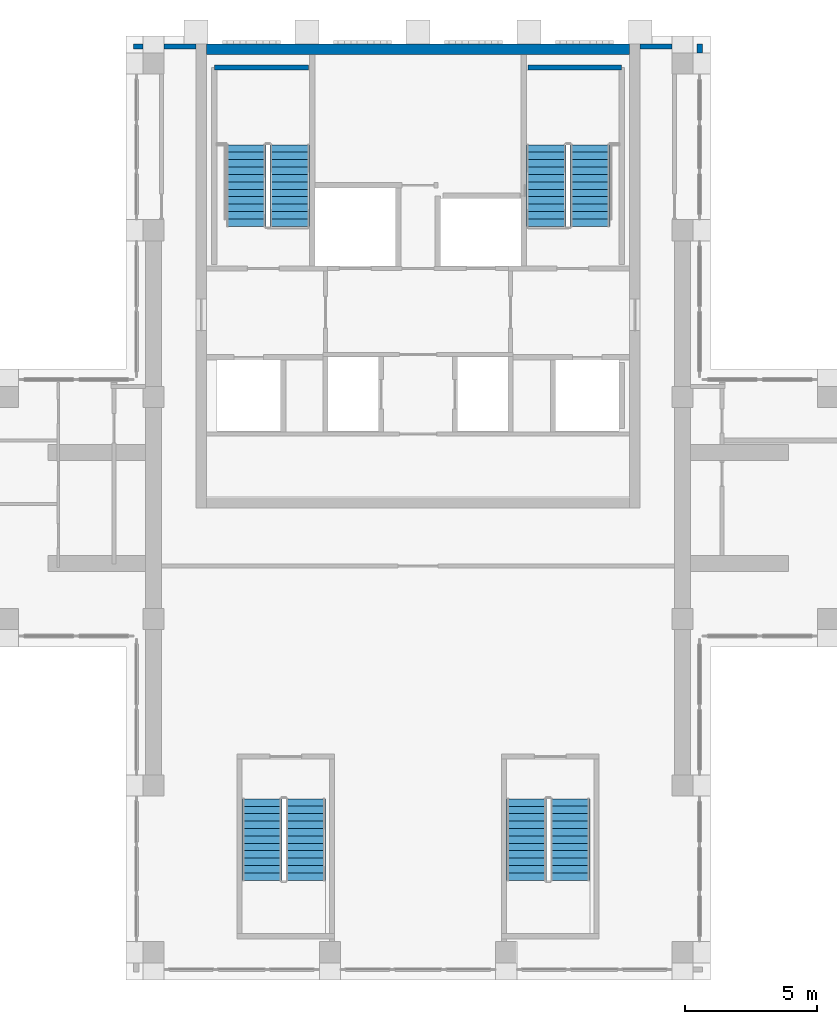
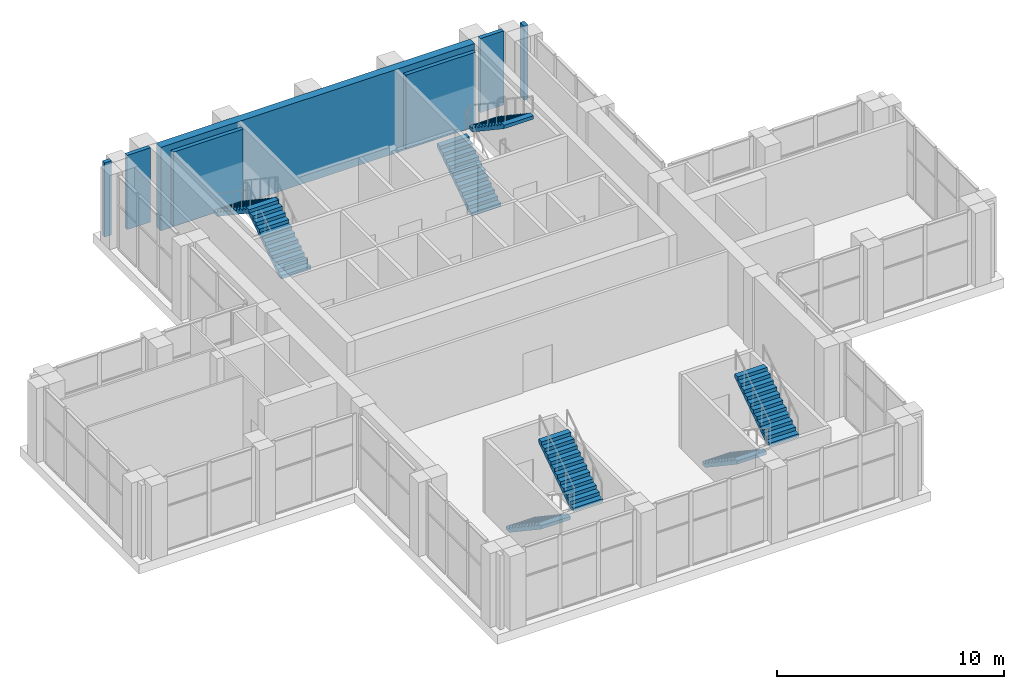
# One storey, part 12 of 15: 8 stair flights, 7 walls, 4 elements without a shape of their own.
"""IFC4 building model written with IfcOpenShell, lengths in metres."""

import ifcopenshell
import ifcopenshell.guid

model = None  # the IFC model being written
_history = None  # IfcOwnerHistory: only IFC2X3 demands one
_inside = {}  # id of a spatial element -> (the spatial element, [elements in it])
_under = {}  # id of a project, library or spatial element -> (it, [spatial elements below it])
_declared = {}  # id of a project -> (the project, [libraries it declares])
_typed = {}  # id of a type object -> (the type object, [elements of that type])
_made_of = {}  # id of a material, layer set ... -> (it, [elements and type objects made of it])


def new_model(schema):
    """Start an empty IFC model of exactly this schema.

    Asked for "IFC4X3", IfcOpenShell would pick the latest addendum, in which some entities
    have other attributes; the version numbers below select the first issue.
    IFC2X3 requires an IfcOwnerHistory on every rooted entity: one is made here for all.
    """
    global model, _history
    if schema == "IFC4X3":
        model = ifcopenshell.file(schema_version=(4, 3, 0, 0))
    else:
        model = ifcopenshell.file(schema=schema)
    _inside.clear()
    _under.clear()
    _declared.clear()
    _typed.clear()
    _made_of.clear()
    _history = None
    if model.schema == "IFC2X3":
        org = make("IfcOrganization", Name="unknown")
        user = make(
            "IfcPersonAndOrganization",
            ThePerson=make("IfcPerson", FamilyName="unknown"),
            TheOrganization=org,
        )
        app = make(
            "IfcApplication",
            ApplicationDeveloper=org,
            Version="unknown",
            ApplicationFullName="unknown",
            ApplicationIdentifier="unknown",
        )
        _history = make(
            "IfcOwnerHistory",
            OwningUser=user,
            OwningApplication=app,
            ChangeAction="ADDED",
            CreationDate=0,
        )
    return model


def make(cls, **values):
    """One entity of the class cls with the attributes given. An attribute that is None is left unset."""
    return model.create_entity(
        cls, **{name: value for name, value in values.items() if value is not None}
    )


def rooted(cls, **values):
    """An entity with a GlobalId (a new one), such as an element, a storey or a relation."""
    return make(cls, GlobalId=ifcopenshell.guid.new(), OwnerHistory=_history, **values)


def si_unit(unit_type, name, prefix=None):
    """IfcSIUnit, for example si_unit("LENGTHUNIT", "METRE", prefix="MILLI")."""
    return make("IfcSIUnit", UnitType=unit_type, Prefix=prefix, Name=name)


def assignment(units):
    """IfcUnitAssignment: the units of a project."""
    return None if units is None else make("IfcUnitAssignment", Units=units)


def point(xyz):
    """IfcCartesianPoint."""
    return None if xyz is None else make("IfcCartesianPoint", Coordinates=xyz)


def direction(xyz):
    """IfcDirection."""
    return None if xyz is None else make("IfcDirection", DirectionRatios=xyz)


def frame(location, z_axis=None, x_axis=None):
    """IfcAxis2Placement3D, a coordinate frame: its origin and axes. An axis left out is left unset."""
    return make(
        "IfcAxis2Placement3D",
        Location=point(location),
        Axis=direction(z_axis),
        RefDirection=direction(x_axis),
    )


def frame_2d(location, x_axis=None):
    """IfcAxis2Placement2D, a coordinate frame in the plane: its origin and x axis."""
    return make(
        "IfcAxis2Placement2D", Location=point(location), RefDirection=direction(x_axis)
    )


def origin():
    """The frame at (0, 0, 0) with its axes left unset."""
    return frame((0.0, 0.0, 0.0))


def place(relative_to, where):
    """IfcLocalPlacement: puts the frame where relative to a parent placement (None: the world)."""
    return make(
        "IfcLocalPlacement", PlacementRelTo=relative_to, RelativePlacement=where
    )


def context(
    kind, dimensions, precision=None, world=None, true_north=None, identifier=None
):
    """IfcGeometricRepresentationContext, for example the 3D "Model" context."""
    return make(
        "IfcGeometricRepresentationContext",
        ContextIdentifier=identifier,
        ContextType=kind,
        CoordinateSpaceDimension=dimensions,
        Precision=precision,
        WorldCoordinateSystem=world,
        TrueNorth=true_north,
    )


def subcontext(parent, identifier, kind, view, scale=None):
    """IfcGeometricRepresentationSubContext, for example "Body" below "Model"."""
    return make(
        "IfcGeometricRepresentationSubContext",
        ContextIdentifier=identifier,
        ContextType=kind,
        ParentContext=parent,
        TargetScale=scale,
        TargetView=view,
    )


def project(units=None, contexts=None):
    """IfcProject with its units and contexts."""
    return rooted(
        "IfcProject",
        Name="project",
        RepresentationContexts=contexts,
        UnitsInContext=assignment(units),
    )


def spatial(cls, under=None, at=None, **own):
    """A site, building, storey or space (cls), placed at a placement, below another one or the project."""
    s = rooted(cls, ObjectPlacement=at, **own)
    if under is not None:
        _under.setdefault(under.id(), (under, []))[1].append(s)
    return s


def polyline(points):
    """IfcPolyline through the points."""
    return make("IfcPolyline", Points=[point(p) for p in points])


def profile(cls, at=None, kind="AREA", **sizes):
    """A parametric profile (cls). Its sizes go by their IFC names, for example OverallWidth=200.0."""
    return make(cls, ProfileType=kind, Position=at, **sizes)


def rectangle(**sizes):
    """IfcRectangleProfileDef."""
    return profile("IfcRectangleProfileDef", **sizes)


def outline(outer, holes=None, kind="AREA"):
    """IfcArbitraryClosedProfileDef: a profile drawn as a closed curve; with holes, ...WithVoids."""
    if holes is None:
        return make("IfcArbitraryClosedProfileDef", ProfileType=kind, OuterCurve=outer)
    return make(
        "IfcArbitraryProfileDefWithVoids",
        ProfileType=kind,
        OuterCurve=outer,
        InnerCurves=holes,
    )


def extrude(swept, where, along, depth):
    """IfcExtrudedAreaSolid: the profile swept, set in the frame where, extruded along a direction by depth."""
    return make(
        "IfcExtrudedAreaSolid",
        SweptArea=swept,
        Position=where,
        ExtrudedDirection=direction(along),
        Depth=depth,
    )


def shape(context_of_items, identifier, shape_type, items):
    """IfcShapeRepresentation: the items that make up one representation, for example the "Body"."""
    return make(
        "IfcShapeRepresentation",
        ContextOfItems=context_of_items,
        RepresentationIdentifier=identifier,
        RepresentationType=shape_type,
        Items=items,
    )


def material(Name=None, Category=None):
    """IfcMaterial."""
    return make("IfcMaterial", Name=Name, Category=Category)


def layer(
    of_material, thickness, ventilated=None, Name=None, Category=None, Priority=None
):
    """IfcMaterialLayer: one layer of a wall or slab, of a material (None: an air gap)."""
    return make(
        "IfcMaterialLayer",
        Material=of_material,
        LayerThickness=thickness,
        IsVentilated=ventilated,
        Name=Name,
        Category=Category,
        Priority=Priority,
    )


def layer_set(layers, Name=None):
    """IfcMaterialLayerSet."""
    return make("IfcMaterialLayerSet", MaterialLayers=layers, LayerSetName=Name)


def made_of(thing, what):
    """Note that an element or type object is made of a material, layer set ...; save() writes the relation."""
    if what is not None:
        _made_of.setdefault(what.id(), (what, []))[1].append(thing)
    return thing


def type_object(cls, material=None, **own):
    """A type object (cls), such as IfcWallType, which elements share."""
    return made_of(rooted(cls, **own), material)


def element(
    cls,
    number,
    at=None,
    inside=None,
    cuts=None,
    type_object=None,
    material=None,
    context=None,
    identifier="Body",
    shape_type=None,
    held_by="IfcProductDefinitionShape",
    body=None,
    shapes=None,
    **own,
):
    """One element of the class cls, such as IfcWall. Its Tag is "e" and its number.

    at: its placement. inside: the storey or other place that contains it. cuts: it is an
    opening in that element (IfcRelVoidsElement). A single representation is given by context,
    identifier, shape_type and body (its items); several are given by shapes. held_by: the class
    of the entity that holds the representations. save() writes the other relations.
    """
    e = rooted(cls, Tag="e%d" % number, ObjectPlacement=at, **own)
    if body is not None:
        shapes = [shape(context, identifier, shape_type, body)]
    if shapes is not None:
        e.Representation = make(held_by, Representations=shapes)
    if inside is not None:
        _inside.setdefault(inside.id(), (inside, []))[1].append(e)
    if cuts is not None:
        rooted(
            "IfcRelVoidsElement", RelatingBuildingElement=cuts, RelatedOpeningElement=e
        )
    if type_object is not None:
        _typed.setdefault(type_object.id(), (type_object, []))[1].append(e)
    return made_of(e, material)


def aggregate(whole, parts):
    """IfcRelAggregates: a whole, such as a stair, and the parts it consists of."""
    return rooted("IfcRelAggregates", RelatingObject=whole, RelatedObjects=parts)


def save(model, path):
    """Write the relations noted so far, then the file.

    IfcRelAggregates (storeys below a building ...), IfcRelContainedInSpatialStructure (elements
    in a storey), IfcRelDefinesByType, IfcRelAssociatesMaterial and IfcRelDeclares: one each for
    every whole, place, type object, material and project.
    """
    for whole, parts in _under.values():
        aggregate(whole, parts)
    for where, things in _inside.values():
        rooted(
            "IfcRelContainedInSpatialStructure",
            RelatedElements=things,
            RelatingStructure=where,
        )
    for kind, things in _typed.values():
        rooted("IfcRelDefinesByType", RelatedObjects=things, RelatingType=kind)
    for what, things in _made_of.values():
        rooted("IfcRelAssociatesMaterial", RelatedObjects=things, RelatingMaterial=what)
    for by, libraries in _declared.values():
        rooted("IfcRelDeclares", RelatingContext=by, RelatedDefinitions=libraries)
    model.write(path)


model = new_model("IFC4")

# Units and contexts
model_context = context("Model", 3, precision=1e-05, world=origin(), true_north=direction((0.0, 1.0)))
body_context = subcontext(model_context, "Body", "Model", "MODEL_VIEW")
ifc_project = project(units=[si_unit("LENGTHUNIT", "METRE"), si_unit("AREAUNIT", "SQUARE_METRE"), si_unit("VOLUMEUNIT", "CUBIC_METRE"), si_unit("PLANEANGLEUNIT", "RADIAN"), si_unit("MASSUNIT", "GRAM", prefix="KILO")], contexts=[model_context])

# Site, building, storey
site_placement = place(None, origin())
site = spatial("IfcSite", under=ifc_project, at=site_placement, CompositionType="ELEMENT")
building_placement = place(site_placement, origin())
building = spatial("IfcBuilding", under=site, at=building_placement, Name="Vermilion Ogive Tower", CompositionType="ELEMENT")
storey_placement = place(building_placement, frame((0.0, 0.0, 293.85009765625)))
storey = spatial("IfcBuildingStorey", under=building, at=storey_placement, Name="L76", CompositionType="ELEMENT", Elevation=293.85009765625)

# Walls
ifc_material_1 = material(Name="Concrete B60", Category="concrete")
ifc_layer_1 = layer(ifc_material_1, 0.39990234375)
ifc_layer_set_1 = layer_set([ifc_layer_1], Name="Core wall 400 B60")
wall_type_1 = type_object("IfcWallType", Name="Core wall 400 B60", PredefinedType="SHEAR", material=ifc_layer_set_1)
wall_1_placement = place(storey_placement, frame((-8.0, 21.550048828125, -0.5), z_axis=(0.0, 0.0, 1.0), x_axis=(1.0, 0.0, 0.0)))
element("IfcWall", 1, at=wall_1_placement, inside=storey, type_object=wall_type_1, Name="L76-CORE-N", PredefinedType="SHEAR", context=body_context, shape_type="SweptSolid", body=[
    extrude(rectangle(XDim=16.0, YDim=0.39990234375, at=frame_2d((8.0, 0.0))), origin(), (0.0, 0.0, 1.0), 4.5),
])
ifc_material_2 = material(Name="Concrete B60", Category="concrete")
ifc_layer_2 = layer(ifc_material_2, 0.199951171875)
ifc_layer_set_2 = layer_set([ifc_layer_2], Name="Stair shaft wall 200 Concrete B60")
wall_type_2 = type_object("IfcWallType", Name="Stair shaft wall 200 Concrete B60", PredefinedType="SOLIDWALL", material=ifc_layer_set_2)
for number, where, z_axis, x_axis, name in (
    (2, (-7.699951171875, 20.85009765625, 0.0), (0.0, 0.0, 1.0), (1.0, 0.0, 0.0), "L76-SW-R005-N1"),
    (3, (4.14990234375, 20.85009765625, 0.0), (0.0, 0.0, 1.0), (1.0, 0.0, 0.0), "L76-SW-R009-N1"),
):
    element("IfcWall", number, at=place(storey_placement, frame(where, z_axis=z_axis, x_axis=x_axis)), inside=storey, type_object=wall_type_2, Name=name, PredefinedType="SOLIDWALL", context=body_context, shape_type="SweptSolid", body=[
        extrude(rectangle(XDim=3.550048828125, YDim=0.199951171875, at=frame_2d((1.77490234375, 0.0))), origin(), (0.0, 0.0, 1.0), 4.0),
    ])
ifc_material_3 = material(Name="Aluminium window wall framing", Category="aluminium")
ifc_layer_3 = layer(ifc_material_3, 0.199951171875)
ifc_layer_set_3 = layer_set([ifc_layer_3], Name="Window wall")
wall_type_3 = type_object("IfcWallType", Name="Window wall", PredefinedType="STANDARD", material=ifc_layer_set_3)
wall_2_placement = place(storey_placement, frame((10.64990234375, 21.39990234375, 0.0), z_axis=(0.0, 0.0, 1.0), x_axis=(0.0, 1.0, 0.0)))
element("IfcWall", 4, at=wall_2_placement, inside=storey, type_object=wall_type_3, Name="Window wall X43", PredefinedType="STANDARD", context=body_context, shape_type="SweptSolid", body=[
    extrude(rectangle(XDim=0.35009765625, YDim=0.199951171875, at=frame_2d((0.175048828125, 0.0))), origin(), (0.0, 0.0, 1.0), 4.0),
])
for number, where, z_axis, x_axis, name in (
    (5, (9.60009765625, 21.64990234375, 0.0), (0.0, 0.0, 1.0), (-1.0, 0.0, 0.0), "Window wall N11"),
    (6, (-8.39990234375, 21.64990234375, 0.0), (0.0, 0.0, 1.0), (-1.0, 0.0, 0.0), "Window wall N21"),
):
    element("IfcWall", number, at=place(storey_placement, frame(where, z_axis=z_axis, x_axis=x_axis)), inside=storey, type_object=wall_type_3, Name=name, PredefinedType="STANDARD", context=body_context, shape_type="SweptSolid", body=[
        extrude(rectangle(XDim=1.2001953125, YDim=0.199951171875, at=frame_2d((0.60009765625, 0.0))), origin(), (0.0, 0.0, 1.0), 4.0),
    ])
wall_3_placement = place(storey_placement, frame((-10.39990234375, 21.64990234375, 0.0), z_axis=(0.0, 0.0, 1.0), x_axis=(-1.0, 0.0, 0.0)))
element("IfcWall", 7, at=wall_3_placement, inside=storey, type_object=wall_type_3, Name="Window wall N22", PredefinedType="STANDARD", context=body_context, shape_type="SweptSolid", body=[
    extrude(rectangle(XDim=0.35009765625, YDim=0.199951171875, at=frame_2d((0.175048828125, 0.0))), origin(), (0.0, 0.0, 1.0), 4.0),
])

# Stair, stair flights
ifc_material_4 = material(Name="Concrete B40", Category="concrete")
stair_type = type_object("IfcStairType", Name="Exit stair 1500", PredefinedType="HALF_TURN_STAIR", material=ifc_material_4)
stair_1_placement = place(storey_placement, origin())
stair_1 = element("IfcStair", 8, at=stair_1_placement, inside=storey, type_object=stair_type, Name="L76 Exit Stair ST1", PredefinedType="HALF_TURN_STAIR")
ifc_material_5 = material(Name="Concrete B40", Category="concrete")
stair_flight_type = type_object("IfcStairFlightType", Name="Stair flight 1500", PredefinedType="STRAIGHT", material=ifc_material_5)
stair_flight_1_placement = place(storey_placement, frame((-4.85009765625, 14.85009765625, 0.0), z_axis=(0.0, 0.0, 1.0), x_axis=(0.0, 1.0, 0.0)))
stair_flight_1 = element("IfcStairFlight", 9, at=stair_flight_1_placement, type_object=stair_flight_type, Name="ST1 flight 1", NumberOfRisers=12, NumberOfTreads=11, PredefinedType="STRAIGHT", RiserHeight=0.1875, TreadLength=0.28, context=body_context, shape_type="SweptSolid", body=[
    extrude(outline(polyline([(0.0, 0.0), (0.0, 0.1875), (0.280029296875, 0.1875), (0.280029296875, 0.375), (0.56005859375, 0.375), (0.56005859375, 0.5625), (0.840087890625, 0.5625), (0.840087890625, 0.75), (1.1201171875, 0.75), (1.1201171875, 0.9375), (1.39990234375, 0.9375), (1.39990234375, 1.125), (1.679931640625, 1.125), (1.679931640625, 1.3125), (1.9599609375, 1.3125), (1.9599609375, 1.5), (2.239990234375, 1.5), (2.239990234375, 1.6875), (2.52001953125, 1.6875), (2.52001953125, 1.875), (2.800048828125, 1.875), (2.800048828125, 2.0625), (3.080078125, 2.0625), (3.080078125, 2.25), (3.080078125, 1.882080078125), (0.26953125, 0.0), (0.0, 0.0)])), frame((0.0, 0.75, 0.0), z_axis=(0.0, -1.0, 0.0), x_axis=(1.0, 0.0, 0.0)), (0.0, 0.0, 1.0), 1.5),
])
stair_flight_2_placement = place(storey_placement, frame((-6.5, 17.929931640625, 2.25), z_axis=(0.0, 0.0, 1.0), x_axis=(0.0, -1.0, 0.0)))
stair_flight_2 = element("IfcStairFlight", 10, at=stair_flight_2_placement, type_object=stair_flight_type, Name="ST1 flight 2", NumberOfRisers=12, NumberOfTreads=11, PredefinedType="STRAIGHT", RiserHeight=0.1875, TreadLength=0.28, context=body_context, shape_type="SweptSolid", body=[
    extrude(outline(polyline([(0.0, 0.0), (0.0, 0.1875), (0.280029296875, 0.1875), (0.280029296875, 0.375), (0.56005859375, 0.375), (0.56005859375, 0.5625), (0.840087890625, 0.5625), (0.840087890625, 0.75), (1.1201171875, 0.75), (1.1201171875, 0.9375), (1.39990234375, 0.9375), (1.39990234375, 1.125), (1.679931640625, 1.125), (1.679931640625, 1.3125), (1.9599609375, 1.3125), (1.9599609375, 1.5), (2.239990234375, 1.5), (2.239990234375, 1.6875), (2.52001953125, 1.6875), (2.52001953125, 1.875), (2.800048828125, 1.875), (2.800048828125, 2.0625), (3.080078125, 2.0625), (3.080078125, 2.25), (3.080078125, 1.882080078125), (0.26953125, 0.0), (0.0, 0.0)])), frame((0.0, 0.75, 0.0), z_axis=(0.0, -1.0, 0.0), x_axis=(1.0, 0.0, 0.0)), (0.0, 0.0, 1.0), 1.5),
])
aggregate(stair_1, [stair_flight_1, stair_flight_2])

stair_2_placement = place(storey_placement, origin())
stair_2 = element("IfcStair", 11, at=stair_2_placement, inside=storey, type_object=stair_type, Name="L76 Exit Stair ST2", PredefinedType="HALF_TURN_STAIR")
stair_flight_3_placement = place(storey_placement, frame((4.85009765625, 14.85009765625, 0.0), z_axis=(0.0, 0.0, 1.0), x_axis=(0.0, 1.0, 0.0)))
stair_flight_3 = element("IfcStairFlight", 12, at=stair_flight_3_placement, type_object=stair_flight_type, Name="ST2 flight 1", NumberOfRisers=12, NumberOfTreads=11, PredefinedType="STRAIGHT", RiserHeight=0.1875, TreadLength=0.28, context=body_context, shape_type="SweptSolid", body=[
    extrude(outline(polyline([(0.0, 0.0), (0.0, 0.1875), (0.280029296875, 0.1875), (0.280029296875, 0.375), (0.56005859375, 0.375), (0.56005859375, 0.5625), (0.840087890625, 0.5625), (0.840087890625, 0.75), (1.1201171875, 0.75), (1.1201171875, 0.9375), (1.39990234375, 0.9375), (1.39990234375, 1.125), (1.679931640625, 1.125), (1.679931640625, 1.3125), (1.9599609375, 1.3125), (1.9599609375, 1.5), (2.239990234375, 1.5), (2.239990234375, 1.6875), (2.52001953125, 1.6875), (2.52001953125, 1.875), (2.800048828125, 1.875), (2.800048828125, 2.0625), (3.080078125, 2.0625), (3.080078125, 2.25), (3.080078125, 1.882080078125), (0.26953125, 0.0), (0.0, 0.0)])), frame((0.0, 0.75, 0.0), z_axis=(0.0, -1.0, 0.0), x_axis=(1.0, 0.0, 0.0)), (0.0, 0.0, 1.0), 1.5),
])
stair_flight_4_placement = place(storey_placement, frame((6.5, 17.929931640625, 2.25), z_axis=(0.0, 0.0, 1.0), x_axis=(0.0, -1.0, 0.0)))
stair_flight_4 = element("IfcStairFlight", 13, at=stair_flight_4_placement, type_object=stair_flight_type, Name="ST2 flight 2", NumberOfRisers=12, NumberOfTreads=11, PredefinedType="STRAIGHT", RiserHeight=0.1875, TreadLength=0.28, context=body_context, shape_type="SweptSolid", body=[
    extrude(outline(polyline([(0.0, 0.0), (0.0, 0.1875), (0.280029296875, 0.1875), (0.280029296875, 0.375), (0.56005859375, 0.375), (0.56005859375, 0.5625), (0.840087890625, 0.5625), (0.840087890625, 0.75), (1.1201171875, 0.75), (1.1201171875, 0.9375), (1.39990234375, 0.9375), (1.39990234375, 1.125), (1.679931640625, 1.125), (1.679931640625, 1.3125), (1.9599609375, 1.3125), (1.9599609375, 1.5), (2.239990234375, 1.5), (2.239990234375, 1.6875), (2.52001953125, 1.6875), (2.52001953125, 1.875), (2.800048828125, 1.875), (2.800048828125, 2.0625), (3.080078125, 2.0625), (3.080078125, 2.25), (3.080078125, 1.882080078125), (0.26953125, 0.0), (0.0, 0.0)])), frame((0.0, 0.75, 0.0), z_axis=(0.0, -1.0, 0.0), x_axis=(1.0, 0.0, 0.0)), (0.0, 0.0, 1.0), 1.5),
])
aggregate(stair_2, [stair_flight_3, stair_flight_4])

stair_3_placement = place(storey_placement, origin())
stair_3 = element("IfcStair", 14, at=stair_3_placement, inside=storey, type_object=stair_type, Name="L76 Exit Stair ST6", PredefinedType="HALF_TURN_STAIR")
stair_flight_5_placement = place(storey_placement, frame((4.10009765625, -6.800048828125, 0.0), z_axis=(0.0, 0.0, 1.0), x_axis=(0.0, -1.0, 0.0)))
stair_flight_5 = element("IfcStairFlight", 15, at=stair_flight_5_placement, type_object=stair_flight_type, Name="ST6 flight 1", NumberOfRisers=12, NumberOfTreads=11, PredefinedType="STRAIGHT", RiserHeight=0.1875, TreadLength=0.28, context=body_context, shape_type="SweptSolid", body=[
    extrude(outline(polyline([(0.0, 0.0), (0.0, 0.1875), (0.280029296875, 0.1875), (0.280029296875, 0.375), (0.56005859375, 0.375), (0.56005859375, 0.5625), (0.840087890625, 0.5625), (0.840087890625, 0.75), (1.1201171875, 0.75), (1.1201171875, 0.9375), (1.39990234375, 0.9375), (1.39990234375, 1.125), (1.679931640625, 1.125), (1.679931640625, 1.3125), (1.9599609375, 1.3125), (1.9599609375, 1.5), (2.239990234375, 1.5), (2.239990234375, 1.6875), (2.52001953125, 1.6875), (2.52001953125, 1.875), (2.800048828125, 1.875), (2.800048828125, 2.0625), (3.080078125, 2.0625), (3.080078125, 2.25), (3.080078125, 1.882080078125), (0.26953125, 0.0), (0.0, 0.0)])), frame((0.0, 0.75, 0.0), z_axis=(0.0, -1.0, 0.0), x_axis=(1.0, 0.0, 0.0)), (0.0, 0.0, 1.0), 1.5),
])
stair_flight_6_placement = place(storey_placement, frame((5.75, -9.8798828125, 2.25), z_axis=(0.0, 0.0, 1.0), x_axis=(0.0, 1.0, 0.0)))
stair_flight_6 = element("IfcStairFlight", 16, at=stair_flight_6_placement, type_object=stair_flight_type, Name="ST6 flight 2", NumberOfRisers=12, NumberOfTreads=11, PredefinedType="STRAIGHT", RiserHeight=0.1875, TreadLength=0.28, context=body_context, shape_type="SweptSolid", body=[
    extrude(outline(polyline([(0.0, 0.0), (0.0, 0.1875), (0.280029296875, 0.1875), (0.280029296875, 0.375), (0.56005859375, 0.375), (0.56005859375, 0.5625), (0.840087890625, 0.5625), (0.840087890625, 0.75), (1.1201171875, 0.75), (1.1201171875, 0.9375), (1.39990234375, 0.9375), (1.39990234375, 1.125), (1.679931640625, 1.125), (1.679931640625, 1.3125), (1.9599609375, 1.3125), (1.9599609375, 1.5), (2.239990234375, 1.5), (2.239990234375, 1.6875), (2.52001953125, 1.6875), (2.52001953125, 1.875), (2.800048828125, 1.875), (2.800048828125, 2.0625), (3.080078125, 2.0625), (3.080078125, 2.25), (3.080078125, 1.882080078125), (0.26953125, 0.0), (0.0, 0.0)])), frame((0.0, 0.75, 0.0), z_axis=(0.0, -1.0, 0.0), x_axis=(1.0, 0.0, 0.0)), (0.0, 0.0, 1.0), 1.5),
])
aggregate(stair_3, [stair_flight_5, stair_flight_6])

stair_4_placement = place(storey_placement, origin())
stair_4 = element("IfcStair", 17, at=stair_4_placement, inside=storey, type_object=stair_type, Name="L76 Exit Stair ST7", PredefinedType="HALF_TURN_STAIR")
stair_flight_7_placement = place(storey_placement, frame((-5.89990234375, -6.800048828125, 0.0), z_axis=(0.0, 0.0, 1.0), x_axis=(0.0, -1.0, 0.0)))
stair_flight_7 = element("IfcStairFlight", 18, at=stair_flight_7_placement, type_object=stair_flight_type, Name="ST7 flight 1", NumberOfRisers=12, NumberOfTreads=11, PredefinedType="STRAIGHT", RiserHeight=0.1875, TreadLength=0.28, context=body_context, shape_type="SweptSolid", body=[
    extrude(outline(polyline([(0.0, 0.0), (0.0, 0.1875), (0.280029296875, 0.1875), (0.280029296875, 0.375), (0.56005859375, 0.375), (0.56005859375, 0.5625), (0.840087890625, 0.5625), (0.840087890625, 0.75), (1.1201171875, 0.75), (1.1201171875, 0.9375), (1.39990234375, 0.9375), (1.39990234375, 1.125), (1.679931640625, 1.125), (1.679931640625, 1.3125), (1.9599609375, 1.3125), (1.9599609375, 1.5), (2.239990234375, 1.5), (2.239990234375, 1.6875), (2.52001953125, 1.6875), (2.52001953125, 1.875), (2.800048828125, 1.875), (2.800048828125, 2.0625), (3.080078125, 2.0625), (3.080078125, 2.25), (3.080078125, 1.882080078125), (0.26953125, 0.0), (0.0, 0.0)])), frame((0.0, 0.75, 0.0), z_axis=(0.0, -1.0, 0.0), x_axis=(1.0, 0.0, 0.0)), (0.0, 0.0, 1.0), 1.5),
])
stair_flight_8_placement = place(storey_placement, frame((-4.25, -9.8798828125, 2.25), z_axis=(0.0, 0.0, 1.0), x_axis=(0.0, 1.0, 0.0)))
stair_flight_8 = element("IfcStairFlight", 19, at=stair_flight_8_placement, type_object=stair_flight_type, Name="ST7 flight 2", NumberOfRisers=12, NumberOfTreads=11, PredefinedType="STRAIGHT", RiserHeight=0.1875, TreadLength=0.28, context=body_context, shape_type="SweptSolid", body=[
    extrude(outline(polyline([(0.0, 0.0), (0.0, 0.1875), (0.280029296875, 0.1875), (0.280029296875, 0.375), (0.56005859375, 0.375), (0.56005859375, 0.5625), (0.840087890625, 0.5625), (0.840087890625, 0.75), (1.1201171875, 0.75), (1.1201171875, 0.9375), (1.39990234375, 0.9375), (1.39990234375, 1.125), (1.679931640625, 1.125), (1.679931640625, 1.3125), (1.9599609375, 1.3125), (1.9599609375, 1.5), (2.239990234375, 1.5), (2.239990234375, 1.6875), (2.52001953125, 1.6875), (2.52001953125, 1.875), (2.800048828125, 1.875), (2.800048828125, 2.0625), (3.080078125, 2.0625), (3.080078125, 2.25), (3.080078125, 1.882080078125), (0.26953125, 0.0), (0.0, 0.0)])), frame((0.0, 0.75, 0.0), z_axis=(0.0, -1.0, 0.0), x_axis=(1.0, 0.0, 0.0)), (0.0, 0.0, 1.0), 1.5),
])
aggregate(stair_4, [stair_flight_7, stair_flight_8])

save(model, "model.ifc")
